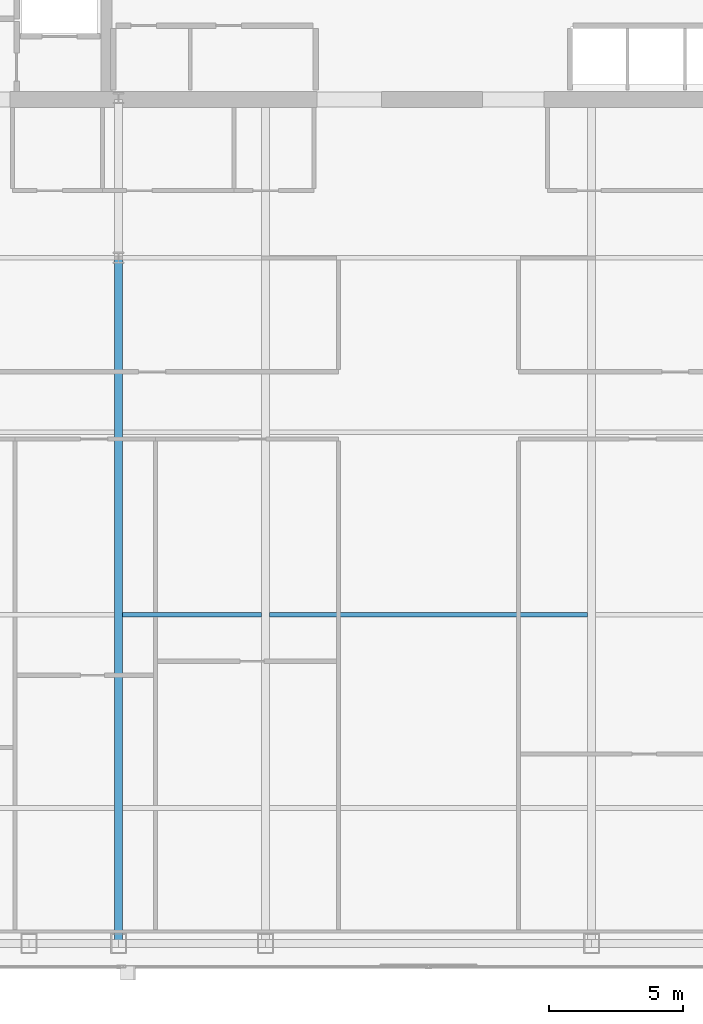
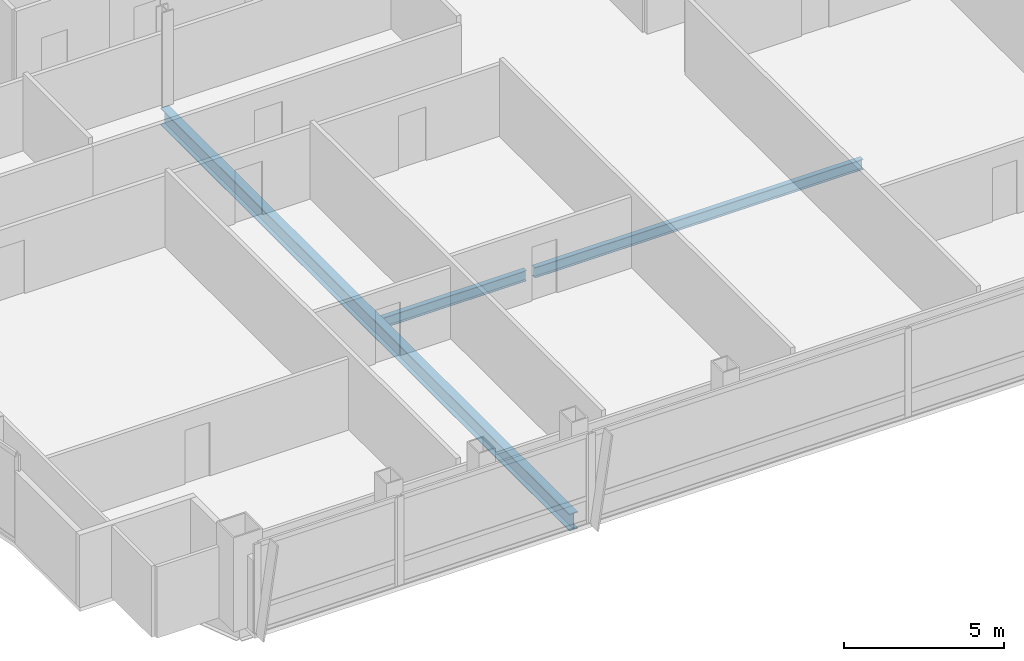
# One storey, part 9 of 30: 3 beams.
"""IFC4 building model written with IfcOpenShell, lengths in metres."""

from ifc_helpers import new_model, si_unit, direction, frame, origin, origin_2d, place, context, subcontext, project, spatial, i_section, extrude, material, material_profile, profile_set, type_object, element, save


model = new_model("IFC4")

# Units and contexts
model_context = context("Model", 3, precision=1e-05, world=origin(), true_north=direction((0.0, 1.0)))
body_context = subcontext(model_context, "Body", "Model", "MODEL_VIEW")
ifc_project = project(units=[si_unit("LENGTHUNIT", "METRE"), si_unit("AREAUNIT", "SQUARE_METRE"), si_unit("VOLUMEUNIT", "CUBIC_METRE"), si_unit("PLANEANGLEUNIT", "RADIAN"), si_unit("MASSUNIT", "GRAM", prefix="KILO")], contexts=[model_context])

# Site, building, storey
site_placement = place(None, origin())
site = spatial("IfcSite", under=ifc_project, at=site_placement, CompositionType="ELEMENT")
building_placement = place(site_placement, origin())
building = spatial("IfcBuilding", under=site, at=building_placement, Name="Khoronbel Lancet Exchange", CompositionType="ELEMENT")
storey_placement = place(building_placement, frame((0.0, 0.0, 253.39990234375)))
storey = spatial("IfcBuildingStorey", under=building, at=storey_placement, Name="L65", CompositionType="ELEMENT", Elevation=253.39990234375)

# Beams
ifc_material = material(Name="Steel S355", Category="steel")
ifc_material_profile_1 = material_profile(ifc_material, i_section(OverallWidth=0.300048828125, OverallDepth=0.64990234375, WebThickness=0.01611328125, FlangeThickness=0.031005859375, at=origin_2d()), Name="HEB 650")
ifc_profile_set_1 = profile_set([ifc_material_profile_1], Name="Steel S355")
beam_type_1 = type_object("IfcBeamType", Name="BM-BG4", PredefinedType="BEAM", material=ifc_profile_set_1)
beam_1_placement = place(storey_placement, frame((24.89990234375, 10.14990234375, -0.48486328125), z_axis=(0.0, 1.0, 0.0), x_axis=(-1.0, 0.0, 0.0)))
element("IfcBeam", 1, at=beam_1_placement, inside=storey, type_object=beam_type_1, Name="Level L65 south primary girder GS2", PredefinedType="BEAM", context=body_context, shape_type="SweptSolid", body=[
    extrude(i_section(OverallWidth=0.300048828125, OverallDepth=0.64990234375, WebThickness=0.01611328125, FlangeThickness=0.031005859375, at=origin_2d()), origin(), (0.0, 0.0, 1.0), 25.550048828125),
])
ifc_material_profile_2 = material_profile(ifc_material, i_section(OverallWidth=0.179931640625, OverallDepth=0.39990234375, WebThickness=0.008544921875, FlangeThickness=0.013427734375, at=origin_2d()), Name="IPE 400")
ifc_profile_set_2 = profile_set([ifc_material_profile_2], Name="Steel S355")
beam_type_2 = type_object("IfcBeamType", Name="BM-BJ5", PredefinedType="JOIST", material=ifc_profile_set_2)
beam_2_placement = place(storey_placement, frame((25.050048828125, 22.39990234375, -0.35986328125), z_axis=(1.0, 0.0, 0.0), x_axis=(0.0, 1.0, 0.0)))
element("IfcBeam", 2, at=beam_2_placement, inside=storey, type_object=beam_type_2, Name="Level L65 secondary composite joist J07", PredefinedType="JOIST", context=body_context, shape_type="SweptSolid", body=[
    extrude(i_section(OverallWidth=0.179931640625, OverallDepth=0.39990234375, WebThickness=0.008544921875, FlangeThickness=0.013427734375, at=origin_2d()), origin(), (0.0, 0.0, 1.0), 5.175048828125),
])
beam_3_placement = place(storey_placement, frame((30.52490234375, 22.39990234375, -0.35986328125), z_axis=(1.0, 0.0, 0.0), x_axis=(0.0, 1.0, 0.0)))
element("IfcBeam", 3, at=beam_3_placement, inside=storey, type_object=beam_type_2, Name="Level L65 secondary composite joist J08", PredefinedType="JOIST", context=body_context, shape_type="SweptSolid", body=[
    extrude(i_section(OverallWidth=0.179931640625, OverallDepth=0.39990234375, WebThickness=0.008544921875, FlangeThickness=0.013427734375, at=origin_2d()), origin(), (0.0, 0.0, 1.0), 11.85009765625),
])

save(model, "model.ifc")
